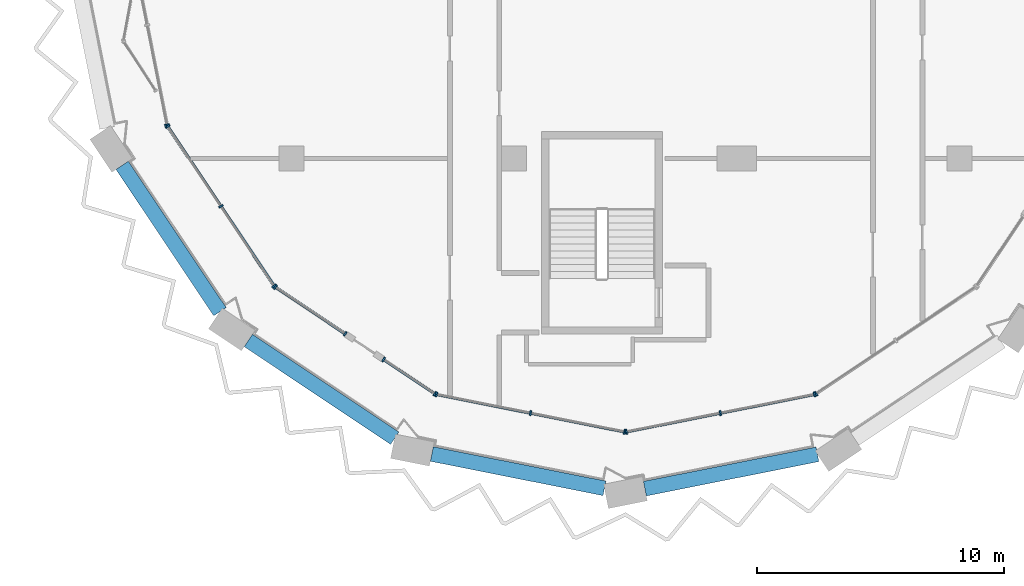
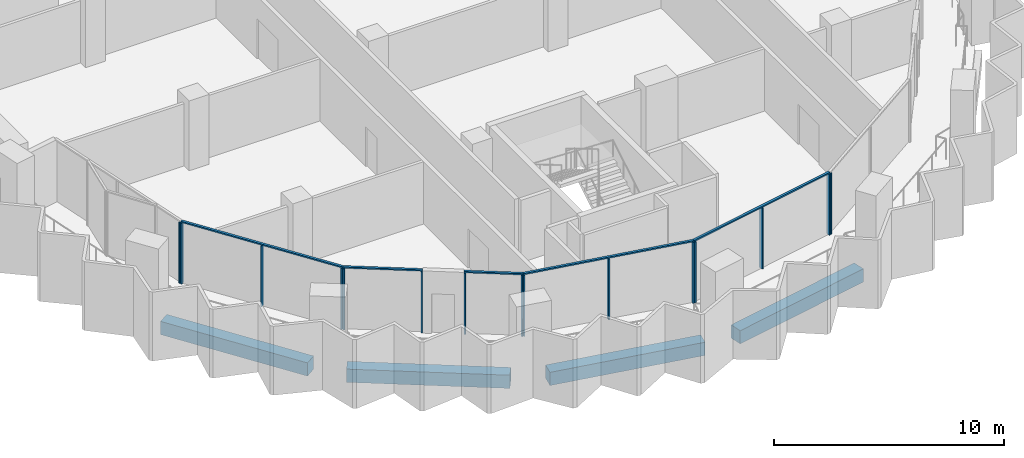
# One storey, part 2 of 17: 20 members, 4 beams, 7 elements without a shape of their own.
"""IFC4 building model written with IfcOpenShell, lengths in metres."""

from ifc_helpers import new_model, si_unit, direction, frame, origin, origin_2d, place, context, subcontext, project, spatial, rectangle, extrude, material, material_profile, profile_set, type_object, element, aggregate, save


model = new_model("IFC4")

# Units and contexts
model_context = context("Model", 3, precision=1e-05, world=origin(), true_north=direction((0.0, 1.0)))
body_context = subcontext(model_context, "Body", "Model", "MODEL_VIEW")
ifc_project = project(units=[si_unit("LENGTHUNIT", "METRE"), si_unit("AREAUNIT", "SQUARE_METRE"), si_unit("VOLUMEUNIT", "CUBIC_METRE"), si_unit("PLANEANGLEUNIT", "RADIAN"), si_unit("MASSUNIT", "GRAM", prefix="KILO")], contexts=[model_context])

# Site, building, storey
site_placement = place(None, origin())
site = spatial("IfcSite", under=ifc_project, at=site_placement, CompositionType="ELEMENT")
building_placement = place(site_placement, origin())
building = spatial("IfcBuilding", under=site, at=building_placement, Name="Hunhe Ridgeline Campus", CompositionType="ELEMENT")
storey_placement = place(building_placement, frame((0.0, 0.0, 265.10009765625)))
storey = spatial("IfcBuildingStorey", under=building, at=storey_placement, Name="L68", CompositionType="ELEMENT", Elevation=265.10009765625)

# Curtain wall, member
ifc_material_1 = material(Name="Aluminium 6063", Category="aluminium")
curtain_wall_type = type_object("IfcCurtainWallType", Name="Curtain wall CW-5", PredefinedType="NOTDEFINED", material=ifc_material_1)
curtain_wall_1_placement = place(storey_placement, origin())
curtain_wall_1 = element("IfcCurtainWall", 1, at=curtain_wall_1_placement, inside=storey, type_object=curtain_wall_type, Name="Curtain wall 01", PredefinedType="NOTDEFINED")
ifc_material_profile_1 = material_profile(ifc_material_1, rectangle(XDim=0.199951171875, YDim=0.070068359375, at=origin_2d()))
ifc_profile_set_1 = profile_set([ifc_material_profile_1], Name="Aluminium 6063")
member_type_1 = type_object("IfcMemberType", Name="CW-5 aluminium mullion", PredefinedType="MULLION", material=ifc_profile_set_1)
member_1_placement = place(storey_placement, frame((3.967529296875, 37.36083984375, 0.0), z_axis=(0.0, 0.0, 1.0), x_axis=(0.980784280831, 0.195095347137, 0.0)))
member_1 = element("IfcMember", 2, at=member_1_placement, type_object=member_type_1, Name="CW-5 mullion 3", PredefinedType="MULLION", context=body_context, shape_type="SweptSolid", body=[
    extrude(rectangle(XDim=0.199951171875, YDim=0.070068359375, at=origin_2d()), origin(), (0.0, 0.0, 1.0), 3.22998046875),
])
aggregate(curtain_wall_1, [member_1])

# Curtain wall, members
curtain_wall_2_placement = place(storey_placement, origin())
curtain_wall_2 = element("IfcCurtainWall", 3, at=curtain_wall_2_placement, inside=storey, type_object=curtain_wall_type, Name="Curtain wall 02", PredefinedType="NOTDEFINED")
member_2_placement = place(storey_placement, frame((3.993896484375, 37.29736328125, 0.0), z_axis=(0.0, 0.0, 1.0), x_axis=(0.831469584522, 0.555570274596, 0.0)))
member_2 = element("IfcMember", 4, at=member_2_placement, type_object=member_type_1, Name="CW-5 mullion 1", PredefinedType="MULLION", context=body_context, shape_type="SweptSolid", body=[
    extrude(rectangle(XDim=0.199951171875, YDim=0.070068359375, at=origin_2d()), origin(), (0.0, 0.0, 1.0), 3.22998046875),
])
member_3_placement = place(storey_placement, frame((6.147705078125, 34.07373046875, 0.0), z_axis=(0.0, 0.0, 1.0), x_axis=(0.831469584522, 0.555570274596, 0.0)))
member_3 = element("IfcMember", 5, at=member_3_placement, type_object=member_type_1, Name="CW-5 mullion 2", PredefinedType="MULLION", context=body_context, shape_type="SweptSolid", body=[
    extrude(rectangle(XDim=0.199951171875, YDim=0.070068359375, at=origin_2d()), origin(), (0.0, 0.0, 1.0), 3.22998046875),
])
member_4_placement = place(storey_placement, frame((8.3017578125, 30.850341796875, 0.0), z_axis=(0.0, 0.0, 1.0), x_axis=(0.831469584522, 0.555570274596, 0.0)))
member_4 = element("IfcMember", 6, at=member_4_placement, type_object=member_type_1, Name="CW-5 mullion 3", PredefinedType="MULLION", context=body_context, shape_type="SweptSolid", body=[
    extrude(rectangle(XDim=0.199951171875, YDim=0.070068359375, at=origin_2d()), origin(), (0.0, 0.0, 1.0), 3.22998046875),
])

curtain_wall_3_placement = place(storey_placement, origin())
curtain_wall_3 = element("IfcCurtainWall", 7, at=curtain_wall_3_placement, inside=storey, type_object=curtain_wall_type, Name="Curtain wall 03", PredefinedType="NOTDEFINED")
member_5_placement = place(storey_placement, frame((8.350341796875, 30.8017578125, 0.0), z_axis=(0.0, 0.0, 1.0), x_axis=(0.555570257501, 0.831469595944, 0.0)))
member_5 = element("IfcMember", 8, at=member_5_placement, type_object=member_type_1, Name="CW-5 mullion 1", PredefinedType="MULLION", context=body_context, shape_type="SweptSolid", body=[
    extrude(rectangle(XDim=0.199951171875, YDim=0.070068359375, at=origin_2d()), origin(), (0.0, 0.0, 1.0), 3.22998046875),
])
member_6_placement = place(storey_placement, frame((11.17041015625, 28.917236328125, 0.0), z_axis=(0.0, 0.0, 1.0), x_axis=(0.555570257501, 0.831469595944, 0.0)))
member_6 = element("IfcMember", 9, at=member_6_placement, type_object=member_type_1, Name="CW-5 mullion 2", PredefinedType="MULLION", context=body_context, shape_type="SweptSolid", body=[
    extrude(rectangle(XDim=0.199951171875, YDim=0.070068359375, at=origin_2d()), origin(), (0.0, 0.0, 1.0), 3.22998046875),
])

curtain_wall_4_placement = place(storey_placement, origin())
curtain_wall_4 = element("IfcCurtainWall", 10, at=curtain_wall_4_placement, inside=storey, type_object=curtain_wall_type, Name="Curtain wall 04", PredefinedType="NOTDEFINED")
member_7_placement = place(storey_placement, frame((12.725341796875, 27.87841796875, 0.0), z_axis=(0.0, 0.0, 1.0), x_axis=(0.555570385598, 0.831469510353, 0.0)))
member_7 = element("IfcMember", 11, at=member_7_placement, type_object=member_type_1, Name="CW-5 mullion 1", PredefinedType="MULLION", context=body_context, shape_type="SweptSolid", body=[
    extrude(rectangle(XDim=0.199951171875, YDim=0.070068359375, at=origin_2d()), origin(), (0.0, 0.0, 1.0), 3.22998046875),
])
member_8_placement = place(storey_placement, frame((14.79736328125, 26.493896484375, 0.0), z_axis=(0.0, 0.0, 1.0), x_axis=(0.555570385598, 0.831469510353, 0.0)))
member_8 = element("IfcMember", 12, at=member_8_placement, type_object=member_type_1, Name="CW-5 mullion 2", PredefinedType="MULLION", context=body_context, shape_type="SweptSolid", body=[
    extrude(rectangle(XDim=0.199951171875, YDim=0.070068359375, at=origin_2d()), origin(), (0.0, 0.0, 1.0), 3.22998046875),
])

curtain_wall_5_placement = place(storey_placement, origin())
curtain_wall_5 = element("IfcCurtainWall", 13, at=curtain_wall_5_placement, inside=storey, type_object=curtain_wall_type, Name="Curtain wall 05", PredefinedType="NOTDEFINED")
member_9_placement = place(storey_placement, frame((14.86083984375, 26.467529296875, 0.0), z_axis=(0.0, 0.0, 1.0), x_axis=(0.195090347539, 0.980785275326, 0.0)))
member_9 = element("IfcMember", 14, at=member_9_placement, type_object=member_type_1, Name="CW-5 mullion 1", PredefinedType="MULLION", context=body_context, shape_type="SweptSolid", body=[
    extrude(rectangle(XDim=0.199951171875, YDim=0.070068359375, at=origin_2d()), origin(), (0.0, 0.0, 1.0), 3.22998046875),
])
member_10_placement = place(storey_placement, frame((18.663330078125, 25.711181640625, 0.0), z_axis=(0.0, 0.0, 1.0), x_axis=(0.195090347539, 0.980785275326, 0.0)))
member_10 = element("IfcMember", 15, at=member_10_placement, type_object=member_type_1, Name="CW-5 mullion 2", PredefinedType="MULLION", context=body_context, shape_type="SweptSolid", body=[
    extrude(rectangle(XDim=0.199951171875, YDim=0.070068359375, at=origin_2d()), origin(), (0.0, 0.0, 1.0), 3.22998046875),
])
member_11_placement = place(storey_placement, frame((22.465576171875, 24.954833984375, 0.0), z_axis=(0.0, 0.0, 1.0), x_axis=(0.195090347539, 0.980785275326, 0.0)))
member_11 = element("IfcMember", 16, at=member_11_placement, type_object=member_type_1, Name="CW-5 mullion 3", PredefinedType="MULLION", context=body_context, shape_type="SweptSolid", body=[
    extrude(rectangle(XDim=0.199951171875, YDim=0.070068359375, at=origin_2d()), origin(), (0.0, 0.0, 1.0), 3.22998046875),
])

curtain_wall_6_placement = place(storey_placement, origin())
curtain_wall_6 = element("IfcCurtainWall", 17, at=curtain_wall_6_placement, inside=storey, type_object=curtain_wall_type, Name="Curtain wall 06", PredefinedType="NOTDEFINED")
member_12_placement = place(storey_placement, frame((22.534423828125, 24.954833984375, 0.0), z_axis=(0.0, 0.0, 1.0), x_axis=(-0.195090347539, 0.980785275326, 0.0)))
member_12 = element("IfcMember", 18, at=member_12_placement, type_object=member_type_1, Name="CW-5 mullion 1", PredefinedType="MULLION", context=body_context, shape_type="SweptSolid", body=[
    extrude(rectangle(XDim=0.199951171875, YDim=0.070068359375, at=origin_2d()), origin(), (0.0, 0.0, 1.0), 3.22998046875),
])
member_13_placement = place(storey_placement, frame((26.336669921875, 25.711181640625, 0.0), z_axis=(0.0, 0.0, 1.0), x_axis=(-0.195090347539, 0.980785275326, 0.0)))
member_13 = element("IfcMember", 19, at=member_13_placement, type_object=member_type_1, Name="CW-5 mullion 2", PredefinedType="MULLION", context=body_context, shape_type="SweptSolid", body=[
    extrude(rectangle(XDim=0.199951171875, YDim=0.070068359375, at=origin_2d()), origin(), (0.0, 0.0, 1.0), 3.22998046875),
])
member_14_placement = place(storey_placement, frame((30.13916015625, 26.467529296875, 0.0), z_axis=(0.0, 0.0, 1.0), x_axis=(-0.195090347539, 0.980785275326, 0.0)))
member_14 = element("IfcMember", 20, at=member_14_placement, type_object=member_type_1, Name="CW-5 mullion 3", PredefinedType="MULLION", context=body_context, shape_type="SweptSolid", body=[
    extrude(rectangle(XDim=0.199951171875, YDim=0.070068359375, at=origin_2d()), origin(), (0.0, 0.0, 1.0), 3.22998046875),
])

# Curtain wall, member
curtain_wall_7_placement = place(storey_placement, origin())
curtain_wall_7 = element("IfcCurtainWall", 21, at=curtain_wall_7_placement, inside=storey, type_object=curtain_wall_type, Name="Curtain wall 07", PredefinedType="NOTDEFINED")
member_15_placement = place(storey_placement, frame((30.20263671875, 26.493896484375, 0.0), z_axis=(0.0, 0.0, 1.0), x_axis=(-0.555570274596, 0.831469584522, 0.0)))
member_15 = element("IfcMember", 22, at=member_15_placement, type_object=member_type_1, Name="CW-5 mullion 1", PredefinedType="MULLION", context=body_context, shape_type="SweptSolid", body=[
    extrude(rectangle(XDim=0.199951171875, YDim=0.070068359375, at=origin_2d()), origin(), (0.0, 0.0, 1.0), 3.22998046875),
])
aggregate(curtain_wall_7, [member_15])

# Member
ifc_material_profile_2 = material_profile(ifc_material_1, rectangle(XDim=0.1201171875, YDim=0.070068359375, at=origin_2d()))
ifc_profile_set_2 = profile_set([ifc_material_profile_2], Name="Aluminium 6063")
member_type_2 = type_object("IfcMemberType", Name="CW-5 aluminium transom", PredefinedType="USERDEFINED", material=ifc_profile_set_2)
member_16_placement = place(storey_placement, frame((3.974365234375, 37.326416015625, 3.264892578125), z_axis=(0.5555640203, -0.831473763475, 0.0), x_axis=(0.831473763475, 0.5555640203, 0.0)))
member_16 = element("IfcMember", 23, at=member_16_placement, type_object=member_type_2, Name="CW-5 transom 1", ObjectType="TRANSOM", PredefinedType="USERDEFINED", context=body_context, shape_type="SweptSolid", body=[
    extrude(rectangle(XDim=0.1201171875, YDim=0.070068359375, at=origin_2d()), origin(), (0.0, 0.0, 1.0), 7.823974609375),
])

aggregate(curtain_wall_2, [member_16, member_2, member_3, member_4])

member_17_placement = place(storey_placement, frame((8.321044921875, 30.821044921875, 3.264892578125), z_axis=(0.831485714606, -0.555546133463, 0.0), x_axis=(0.555546133463, 0.831485714606, 0.0)))
member_17 = element("IfcMember", 24, at=member_17_placement, type_object=member_type_2, Name="CW-5 transom 1", ObjectType="TRANSOM", PredefinedType="USERDEFINED", context=body_context, shape_type="SweptSolid", body=[
    extrude(rectangle(XDim=0.1201171875, YDim=0.070068359375, at=origin_2d()), origin(), (0.0, 0.0, 1.0), 3.462158203125),
])

aggregate(curtain_wall_3, [member_17, member_5, member_6])

member_18_placement = place(storey_placement, frame((12.6962890625, 27.897705078125, 3.264892578125), z_axis=(0.831463388334, -0.555579547735, 0.0), x_axis=(0.555579547735, 0.831463388334, 0.0)))
member_18 = element("IfcMember", 25, at=member_18_placement, type_object=member_type_2, Name="CW-5 transom 1", ObjectType="TRANSOM", PredefinedType="USERDEFINED", context=body_context, shape_type="SweptSolid", body=[
    extrude(rectangle(XDim=0.1201171875, YDim=0.070068359375, at=origin_2d()), origin(), (0.0, 0.0, 1.0), 2.56201171875),
])

aggregate(curtain_wall_4, [member_18, member_7, member_8])

member_19_placement = place(storey_placement, frame((14.826416015625, 26.474365234375, 3.264892578125), z_axis=(0.980785367689, -0.195089883198, 0.0), x_axis=(0.195089883198, 0.980785367689, 0.0)))
member_19 = element("IfcMember", 26, at=member_19_placement, type_object=member_type_2, Name="CW-5 transom 1", ObjectType="TRANSOM", PredefinedType="USERDEFINED", context=body_context, shape_type="SweptSolid", body=[
    extrude(rectangle(XDim=0.1201171875, YDim=0.070068359375, at=origin_2d()), origin(), (0.0, 0.0, 1.0), 7.823974609375),
])

aggregate(curtain_wall_5, [member_19, member_9, member_10, member_11])

member_20_placement = place(storey_placement, frame((22.5, 24.947998046875, 3.264892578125), z_axis=(0.980785367689, 0.195089883198, 0.0), x_axis=(-0.195089883198, 0.980785367689, 0.0)))
member_20 = element("IfcMember", 27, at=member_20_placement, type_object=member_type_2, Name="CW-5 transom 1", ObjectType="TRANSOM", PredefinedType="USERDEFINED", context=body_context, shape_type="SweptSolid", body=[
    extrude(rectangle(XDim=0.1201171875, YDim=0.070068359375, at=origin_2d()), origin(), (0.0, 0.0, 1.0), 7.823974609375),
])

aggregate(curtain_wall_6, [member_20, member_12, member_13, member_14])

# Beams
ifc_material_2 = material(Name="Concrete C50", Category="concrete")
ifc_material_profile_3 = material_profile(ifc_material_2, rectangle(XDim=0.60009765625, YDim=0.699951171875, at=origin_2d()))
ifc_profile_set_3 = profile_set([ifc_material_profile_3], Name="Concrete C50")
beam_type = type_object("IfcBeamType", Name="RC spandrel beam 600x700 Concrete C50", PredefinedType="SPANDREL", material=ifc_profile_set_3)
for number, where, z_axis, x_axis, name in (
    (28, (2.1572265625, 35.724365234375, -0.60009765625), (0.55557907181, -0.831463706344, 0.0), (0.831463706344, 0.55557907181, 0.0), "Spandrel beam B4-2 L68"),
    (29, (7.25537109375, 28.645751953125, -0.60009765625), (0.831463706344, -0.55557907181, 0.0), (0.55557907181, 0.831463706344, 0.0), "Spandrel beam B4-3 L68"),
    (30, (14.67431640625, 24.056640625, -0.60009765625), (0.9807847609, -0.195092933717, 0.0), (0.195092933717, 0.9807847609, 0.0), "Spandrel beam B4-4 L68"),
    (31, (23.28466796875, 22.656005859375, -0.60009765625), (0.9807847609, 0.195092933717, 0.0), (-0.195092933717, 0.9807847609, 0.0), "Spandrel beam B4-5 L68"),
):
    element("IfcBeam", number, at=place(storey_placement, frame(where, z_axis=z_axis, x_axis=x_axis)), inside=storey, type_object=beam_type, Name=name, PredefinedType="SPANDREL", context=body_context, shape_type="SweptSolid", body=[
        extrude(rectangle(XDim=0.60009765625, YDim=0.699951171875, at=origin_2d()), origin(), (0.0, 0.0, 1.0), 7.113037109375),
    ])

save(model, "model.ifc")
